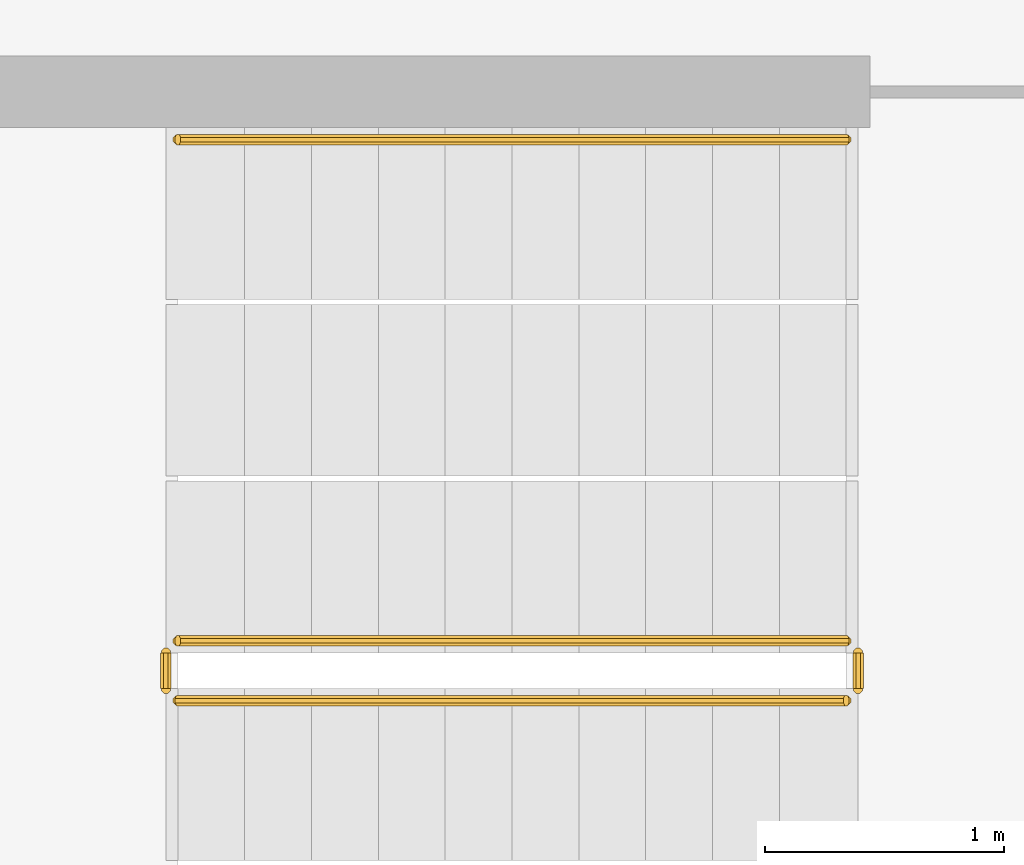
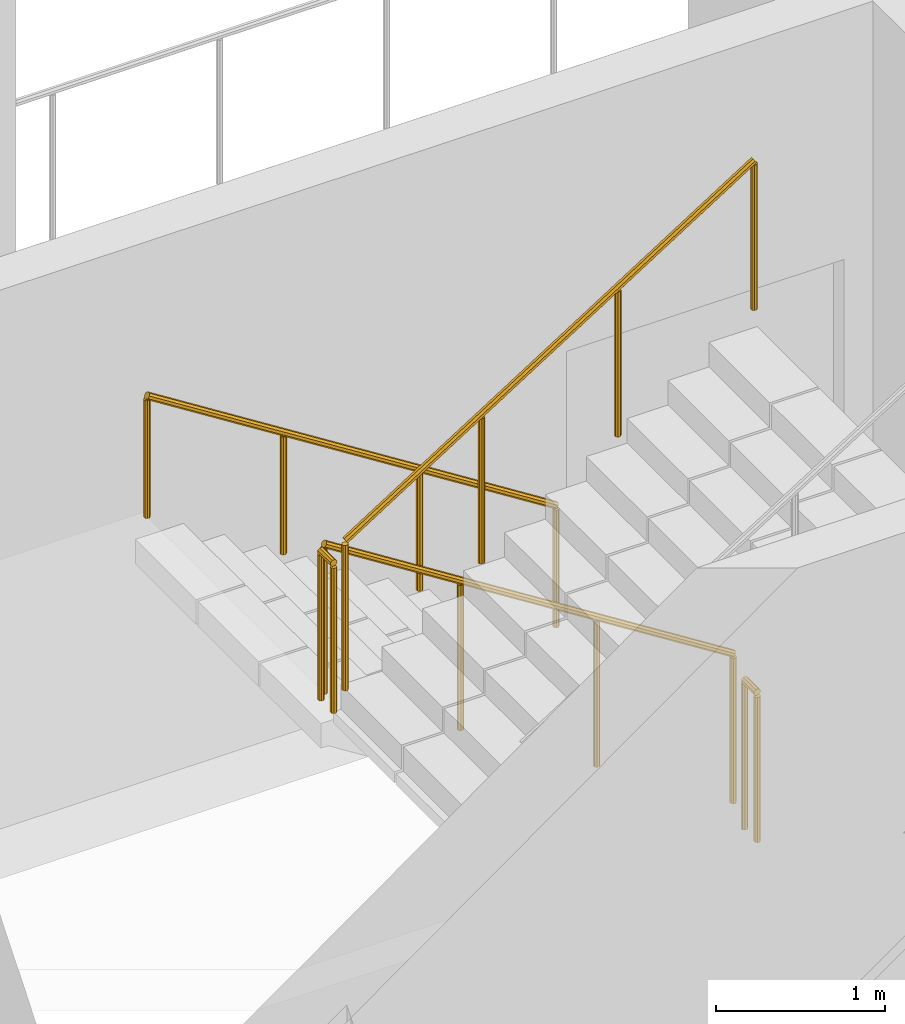
# One storey, part 19 of 25: 5 railings.
"""IFC4 building model written with IfcOpenShell, lengths in metres."""

from ifc_helpers import new_model, si_unit, direction, frame, origin, place, context, subcontext, project, spatial, polyline, outline, extrude, material, type_object, element, save


model = new_model("IFC4")

# Units and contexts
model_context = context("Model", 3, precision=1e-05, world=origin(), true_north=direction((0.0, 1.0)))
body_context = subcontext(model_context, "Body", "Model", "MODEL_VIEW")
ifc_project = project(units=[si_unit("LENGTHUNIT", "METRE"), si_unit("AREAUNIT", "SQUARE_METRE"), si_unit("VOLUMEUNIT", "CUBIC_METRE"), si_unit("PLANEANGLEUNIT", "RADIAN"), si_unit("MASSUNIT", "GRAM", prefix="KILO")], contexts=[model_context])

# Site, building, storey
site_placement = place(None, origin())
site = spatial("IfcSite", under=ifc_project, at=site_placement, CompositionType="ELEMENT")
building_placement = place(site_placement, origin())
building = spatial("IfcBuilding", under=site, at=building_placement, Name="Cormorant Relay Tower", CompositionType="ELEMENT")
storey_placement = place(building_placement, frame((0.0, 0.0, 297.0)))
storey = spatial("IfcBuildingStorey", under=building, at=storey_placement, Name="L67", CompositionType="ELEMENT", Elevation=297.0)

# Railings
ifc_material_1 = material(Name="Steel ASTM A572 Grade 50 (Fy 345 MPa)", Category="steel")
railing_type_1 = type_object("IfcRailingType", Name="Stair guard 1100", PredefinedType="GUARDRAIL", material=ifc_material_1)
railing_1_placement = place(storey_placement, frame((1.60009765625, -18.27490234375, 0.17724609375)))
element("IfcRailing", 1, at=railing_1_placement, inside=storey, type_object=railing_type_1, Name="L67 RK1 stair guard 1", PredefinedType="GUARDRAIL", context=body_context, shape_type="SweptSolid", body=[
    extrude(outline(polyline([(0.022216796875, 0.00927734375), (0.00927734375, 0.022216796875), (-0.00927734375, 0.022216796875), (-0.022216796875, 0.00927734375), (-0.022216796875, -0.00927734375), (-0.00927734375, -0.022216796875), (0.00927734375, -0.022216796875), (0.022216796875, -0.00927734375), (0.022216796875, 0.00927734375)])), frame((0.0, 0.0, 1.076171875), z_axis=(-0.844908973607, 0.0, 0.534910110503), x_axis=(0.0, -1.0, 0.0)), (0.0, 0.0, 1.0), 3.31396484375),
    extrude(outline(polyline([(0.019287109375, 0.008056640625), (0.008056640625, 0.019287109375), (-0.008056640625, 0.019287109375), (-0.019287109375, 0.008056640625), (-0.019287109375, -0.008056640625), (-0.008056640625, -0.019287109375), (0.008056640625, -0.019287109375), (0.019287109375, -0.008056640625), (0.019287109375, 0.008056640625)])), origin(), (0.0, 0.0, 1.0), 1.052001953125),
    extrude(outline(polyline([(0.019287109375, 0.008056640625), (0.008056640625, 0.019287109375), (-0.008056640625, 0.019287109375), (-0.019287109375, 0.008056640625), (-0.019287109375, -0.008056640625), (-0.008056640625, -0.019287109375), (0.008056640625, -0.019287109375), (0.019287109375, -0.008056640625), (0.019287109375, 0.008056640625)])), frame((-0.933349609375, 0.0, 0.5908203125)), (0.0, 0.0, 1.0), 1.052001953125),
    extrude(outline(polyline([(0.019287109375, 0.008056640625), (0.008056640625, 0.019287109375), (-0.008056640625, 0.019287109375), (-0.019287109375, 0.008056640625), (-0.019287109375, -0.008056640625), (-0.008056640625, -0.019287109375), (0.008056640625, -0.019287109375), (0.019287109375, -0.008056640625), (0.019287109375, 0.008056640625)])), frame((-1.86669921875, 0.0, 1.181884765625)), (0.0, 0.0, 1.0), 1.052001953125),
    extrude(outline(polyline([(0.019287109375, 0.008056640625), (0.008056640625, 0.019287109375), (-0.008056640625, 0.019287109375), (-0.019287109375, 0.008056640625), (-0.019287109375, -0.008056640625), (-0.008056640625, -0.019287109375), (0.008056640625, -0.019287109375), (0.019287109375, -0.008056640625), (0.019287109375, 0.008056640625)])), frame((-2.800048828125, 0.0, 1.772705078125)), (0.0, 0.0, 1.0), 1.052001953125),
])
railing_2_placement = place(storey_placement, frame((-1.25, -18.324951171875, 1.949951171875)))
element("IfcRailing", 2, at=railing_2_placement, inside=storey, type_object=railing_type_1, Name="L67 RK1 stair guard 2", PredefinedType="GUARDRAIL", context=body_context, shape_type="SweptSolid", body=[
    extrude(outline(polyline([(0.022216796875, 0.00927734375), (0.00927734375, 0.022216796875), (-0.00927734375, 0.022216796875), (-0.022216796875, 0.00927734375), (-0.022216796875, -0.00927734375), (-0.00927734375, -0.022216796875), (0.00927734375, -0.022216796875), (0.022216796875, -0.00927734375), (0.022216796875, 0.00927734375)])), frame((0.0, 0.0, 1.076171875), z_axis=(0.0, -1.0, 0.0), x_axis=(1.0, 0.0, 0.0)), (0.0, 0.0, 1.0), 0.150146484375),
    extrude(outline(polyline([(0.019287109375, 0.008056640625), (0.008056640625, 0.019287109375), (-0.008056640625, 0.019287109375), (-0.019287109375, 0.008056640625), (-0.019287109375, -0.008056640625), (-0.008056640625, -0.019287109375), (0.008056640625, -0.019287109375), (0.019287109375, -0.008056640625), (0.019287109375, 0.008056640625)])), origin(), (0.0, 0.0, 1.0), 1.052001953125),
    extrude(outline(polyline([(0.019287109375, 0.008056640625), (0.008056640625, 0.019287109375), (-0.008056640625, 0.019287109375), (-0.019287109375, 0.008056640625), (-0.019287109375, -0.008056640625), (-0.008056640625, -0.019287109375), (0.008056640625, -0.019287109375), (0.019287109375, -0.008056640625), (0.019287109375, 0.008056640625)])), frame((0.0, -0.150146484375, 0.0)), (0.0, 0.0, 1.0), 1.052001953125),
])
railing_3_placement = place(storey_placement, frame((-1.199951171875, -18.52490234375, 2.127197265625)))
element("IfcRailing", 3, at=railing_3_placement, inside=storey, type_object=railing_type_1, Name="L67 RK1 stair guard 3", PredefinedType="GUARDRAIL", context=body_context, shape_type="SweptSolid", body=[
    extrude(outline(polyline([(0.022216796875, 0.00927734375), (0.00927734375, 0.022216796875), (-0.00927734375, 0.022216796875), (-0.022216796875, 0.00927734375), (-0.022216796875, -0.00927734375), (-0.00927734375, -0.022216796875), (0.00927734375, -0.022216796875), (0.022216796875, -0.00927734375), (0.022216796875, 0.00927734375)])), frame((0.0, 0.0, 1.076171875), z_axis=(0.844908973607, 0.0, 0.534910110503), x_axis=(0.0, 1.0, 0.0)), (0.0, 0.0, 1.0), 3.31396484375),
    extrude(outline(polyline([(0.019287109375, 0.008056640625), (0.008056640625, 0.019287109375), (-0.008056640625, 0.019287109375), (-0.019287109375, 0.008056640625), (-0.019287109375, -0.008056640625), (-0.008056640625, -0.019287109375), (0.008056640625, -0.019287109375), (0.019287109375, -0.008056640625), (0.019287109375, 0.008056640625)])), origin(), (0.0, 0.0, 1.0), 1.052001953125),
    extrude(outline(polyline([(0.019287109375, 0.008056640625), (0.008056640625, 0.019287109375), (-0.008056640625, 0.019287109375), (-0.019287109375, 0.008056640625), (-0.019287109375, -0.008056640625), (-0.008056640625, -0.019287109375), (0.008056640625, -0.019287109375), (0.019287109375, -0.008056640625), (0.019287109375, 0.008056640625)])), frame((0.933349609375, 0.0, 0.5908203125)), (0.0, 0.0, 1.0), 1.052001953125),
    extrude(outline(polyline([(0.019287109375, 0.008056640625), (0.008056640625, 0.019287109375), (-0.008056640625, 0.019287109375), (-0.019287109375, 0.008056640625), (-0.019287109375, -0.008056640625), (-0.008056640625, -0.019287109375), (0.008056640625, -0.019287109375), (0.019287109375, -0.008056640625), (0.019287109375, 0.008056640625)])), frame((1.86669921875, 0.0, 1.181884765625)), (0.0, 0.0, 1.0), 1.052001953125),
    extrude(outline(polyline([(0.019287109375, 0.008056640625), (0.008056640625, 0.019287109375), (-0.008056640625, 0.019287109375), (-0.019287109375, 0.008056640625), (-0.019287109375, -0.008056640625), (-0.008056640625, -0.019287109375), (0.008056640625, -0.019287109375), (0.019287109375, -0.008056640625), (0.019287109375, 0.008056640625)])), frame((2.800048828125, 0.0, 1.772705078125)), (0.0, 0.0, 1.0), 1.052001953125),
])
railing_4_placement = place(storey_placement, frame((1.64990234375, -18.324951171875, 0.0)))
element("IfcRailing", 4, at=railing_4_placement, inside=storey, type_object=railing_type_1, Name="L67 RK1 stair guard 4", PredefinedType="GUARDRAIL", context=body_context, shape_type="SweptSolid", body=[
    extrude(outline(polyline([(0.022216796875, 0.00927734375), (0.00927734375, 0.022216796875), (-0.00927734375, 0.022216796875), (-0.022216796875, 0.00927734375), (-0.022216796875, -0.00927734375), (-0.00927734375, -0.022216796875), (0.00927734375, -0.022216796875), (0.022216796875, -0.00927734375), (0.022216796875, 0.00927734375)])), frame((0.0, 0.0, 1.076171875), z_axis=(0.0, -1.0, 0.0), x_axis=(1.0, 0.0, 0.0)), (0.0, 0.0, 1.0), 0.150146484375),
    extrude(outline(polyline([(0.019287109375, 0.008056640625), (0.008056640625, 0.019287109375), (-0.008056640625, 0.019287109375), (-0.019287109375, 0.008056640625), (-0.019287109375, -0.008056640625), (-0.008056640625, -0.019287109375), (0.008056640625, -0.019287109375), (0.019287109375, -0.008056640625), (0.019287109375, 0.008056640625)])), origin(), (0.0, 0.0, 1.0), 1.052001953125),
    extrude(outline(polyline([(0.019287109375, 0.008056640625), (0.008056640625, 0.019287109375), (-0.008056640625, 0.019287109375), (-0.019287109375, 0.008056640625), (-0.019287109375, -0.008056640625), (-0.008056640625, -0.019287109375), (0.008056640625, -0.019287109375), (0.019287109375, -0.008056640625), (0.019287109375, 0.008056640625)])), frame((0.0, -0.150146484375, 0.0)), (0.0, 0.0, 1.0), 1.052001953125),
])
ifc_material_2 = material(Name="Steel ASTM A572 Grade 50 (Fy 345 MPa)", Category="steel")
railing_type_2 = type_object("IfcRailingType", Name="Stair handrail 900", PredefinedType="HANDRAIL", material=ifc_material_2)
railing_5_placement = place(storey_placement, frame((1.60009765625, -16.175048828125, 0.17724609375)))
element("IfcRailing", 5, at=railing_5_placement, inside=storey, type_object=railing_type_2, Name="L67 RK1 stair handrail 1", PredefinedType="HANDRAIL", context=body_context, shape_type="SweptSolid", body=[
    extrude(outline(polyline([(0.022216796875, 0.00927734375), (0.00927734375, 0.022216796875), (-0.00927734375, 0.022216796875), (-0.022216796875, 0.00927734375), (-0.022216796875, -0.00927734375), (-0.00927734375, -0.022216796875), (0.00927734375, -0.022216796875), (0.022216796875, -0.00927734375), (0.022216796875, 0.00927734375)])), frame((0.0, 0.0, 0.8759765625), z_axis=(-0.844908973607, 0.0, 0.534910110503), x_axis=(0.0, -1.0, 0.0)), (0.0, 0.0, 1.0), 3.31396484375),
    extrude(outline(polyline([(0.019287109375, 0.008056640625), (0.008056640625, 0.019287109375), (-0.008056640625, 0.019287109375), (-0.019287109375, 0.008056640625), (-0.019287109375, -0.008056640625), (-0.008056640625, -0.019287109375), (0.008056640625, -0.019287109375), (0.019287109375, -0.008056640625), (0.019287109375, 0.008056640625)])), origin(), (0.0, 0.0, 1.0), 0.851806640625),
    extrude(outline(polyline([(0.019287109375, 0.008056640625), (0.008056640625, 0.019287109375), (-0.008056640625, 0.019287109375), (-0.019287109375, 0.008056640625), (-0.019287109375, -0.008056640625), (-0.008056640625, -0.019287109375), (0.008056640625, -0.019287109375), (0.019287109375, -0.008056640625), (0.019287109375, 0.008056640625)])), frame((-0.933349609375, 0.0, 0.5908203125)), (0.0, 0.0, 1.0), 0.851806640625),
    extrude(outline(polyline([(0.019287109375, 0.008056640625), (0.008056640625, 0.019287109375), (-0.008056640625, 0.019287109375), (-0.019287109375, 0.008056640625), (-0.019287109375, -0.008056640625), (-0.008056640625, -0.019287109375), (0.008056640625, -0.019287109375), (0.019287109375, -0.008056640625), (0.019287109375, 0.008056640625)])), frame((-1.86669921875, 0.0, 1.181884765625)), (0.0, 0.0, 1.0), 0.851806640625),
    extrude(outline(polyline([(0.019287109375, 0.008056640625), (0.008056640625, 0.019287109375), (-0.008056640625, 0.019287109375), (-0.019287109375, 0.008056640625), (-0.019287109375, -0.008056640625), (-0.008056640625, -0.019287109375), (0.008056640625, -0.019287109375), (0.019287109375, -0.008056640625), (0.019287109375, 0.008056640625)])), frame((-2.800048828125, 0.0, 1.772705078125)), (0.0, 0.0, 1.0), 0.851806640625),
])

save(model, "model.ifc")
